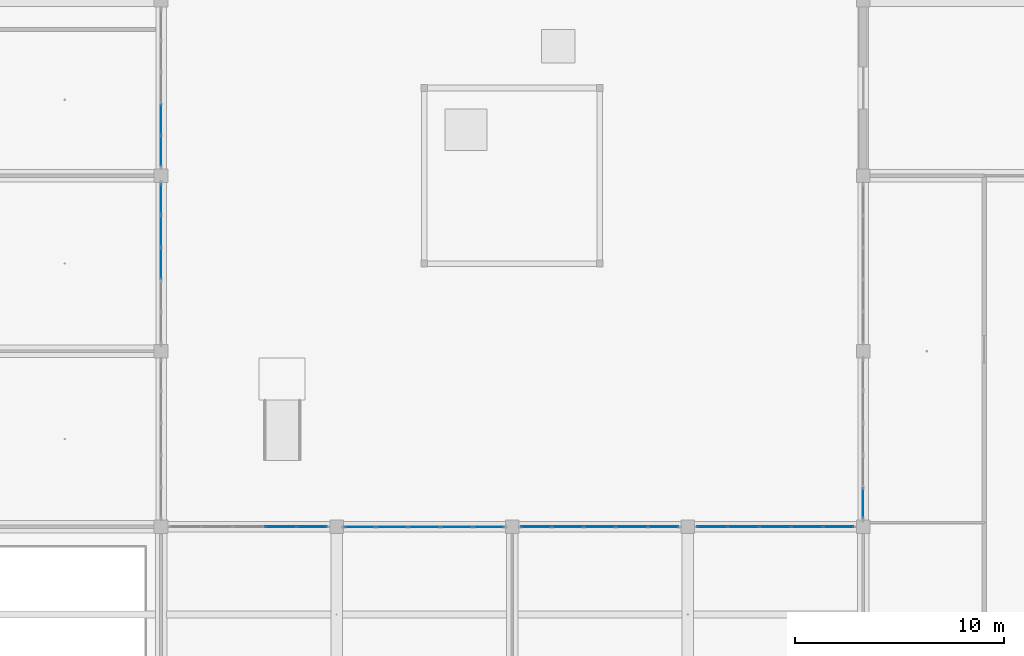
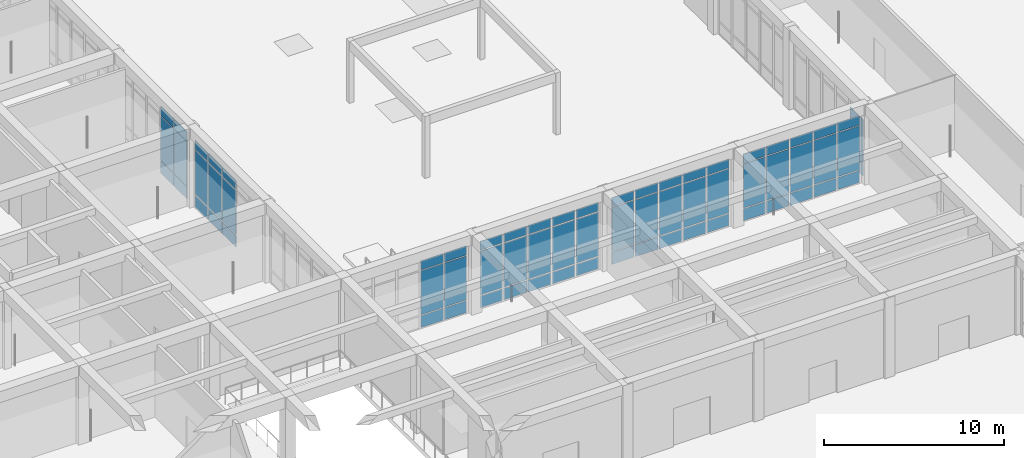
# One storey, part 46 of 167: 68 plates, 7 elements without a shape of their own.
"""IFC4 building model written with IfcOpenShell, lengths in metres."""

from ifc_helpers import new_model, si_unit, direction, frame, origin, origin_2d, place, context, subcontext, project, spatial, rectangle, extrude, material, layer, layer_set, type_object, element, aggregate, save


model = new_model("IFC4")

# Units and contexts
model_context = context("Model", 3, precision=1e-05, world=origin(), true_north=direction((0.0, 1.0)))
body_context = subcontext(model_context, "Body", "Model", "MODEL_VIEW")
ifc_project = project(units=[si_unit("LENGTHUNIT", "METRE"), si_unit("AREAUNIT", "SQUARE_METRE"), si_unit("VOLUMEUNIT", "CUBIC_METRE"), si_unit("PLANEANGLEUNIT", "RADIAN"), si_unit("MASSUNIT", "GRAM", prefix="KILO")], contexts=[model_context])

# Site, building, storey
site_placement = place(None, origin())
site = spatial("IfcSite", under=ifc_project, at=site_placement, CompositionType="ELEMENT")
building_placement = place(site_placement, origin())
building = spatial("IfcBuilding", under=site, at=building_placement, Name="Varncliffe General Hospital", CompositionType="ELEMENT")
storey_placement = place(building_placement, origin())
storey = spatial("IfcBuildingStorey", under=building, at=storey_placement, Name="L00", CompositionType="ELEMENT", Elevation=0.0)

# Curtain wall, plates
ifc_material = material(Name="Triple low-E argon insulated vision glazing", Category="glass")
curtain_wall_type_1 = type_object("IfcCurtainWallType", Name="Unitised Glazed Curtain Wall CW26 (7594x4640)", PredefinedType="USERDEFINED", material=ifc_material)
curtain_wall_1_placement = place(storey_placement, origin())
curtain_wall_1 = element("IfcCurtainWall", 1, at=curtain_wall_1_placement, inside=storey, type_object=curtain_wall_type_1, Name="L00 Glazed Curtain Wall CW26-14", ObjectType="GLAZED CURTAIN WALL", PredefinedType="USERDEFINED")
ifc_layer_1 = layer(ifc_material, 0.0439453125)
ifc_layer_set_1 = layer_set([ifc_layer_1], Name="Triple low-E argon insulated vision glazing")
plate_type_1 = type_object("IfcPlateType", Name="Curtain Wall Glazing Panel CP12 (44mm)", PredefinedType="CURTAIN_PANEL", material=ifc_layer_set_1)
plate_1_placement = place(storey_placement, frame((25.199951171875, 60.28125, 0.06005859375), z_axis=(0.0, 0.0, 1.0), x_axis=(0.0, -1.0, 0.0)))
plate_1 = element("IfcPlate", 2, at=plate_1_placement, type_object=plate_type_1, Name="CW26 panel 4.1", PredefinedType="CURTAIN_PANEL", context=body_context, shape_type="SweptSolid", body=[
    extrude(rectangle(XDim=1.453857421875, YDim=0.0439453125, at=origin_2d()), origin(), (0.0, 0.0, 1.0), 0.81005859375),
])
plate_2_placement = place(storey_placement, frame((25.199951171875, 60.28125, 0.929931640625), z_axis=(0.0, 0.0, 1.0), x_axis=(0.0, -1.0, 0.0)))
plate_2 = element("IfcPlate", 3, at=plate_2_placement, type_object=plate_type_1, Name="CW26 panel 4.2", PredefinedType="CURTAIN_PANEL", context=body_context, shape_type="SweptSolid", body=[
    extrude(rectangle(XDim=1.453857421875, YDim=0.0439453125, at=origin_2d()), origin(), (0.0, 0.0, 1.0), 2.97998046875),
])
plate_3_placement = place(storey_placement, frame((25.199951171875, 60.28125, 3.9697265625), z_axis=(0.0, 0.0, 1.0), x_axis=(0.0, -1.0, 0.0)))
plate_3 = element("IfcPlate", 4, at=plate_3_placement, type_object=plate_type_1, Name="CW26 panel 4.3", PredefinedType="CURTAIN_PANEL", context=body_context, shape_type="SweptSolid", body=[
    extrude(rectangle(XDim=1.453857421875, YDim=0.0439453125, at=origin_2d()), origin(), (0.0, 0.0, 1.0), 0.610107421875),
])
plate_4_placement = place(storey_placement, frame((25.199951171875, 58.778564453125, 0.06005859375), z_axis=(0.0, 0.0, 1.0), x_axis=(0.0, -1.0, 0.0)))
plate_4 = element("IfcPlate", 5, at=plate_4_placement, type_object=plate_type_1, Name="CW26 panel 5.1", PredefinedType="CURTAIN_PANEL", context=body_context, shape_type="SweptSolid", body=[
    extrude(rectangle(XDim=1.42138671875, YDim=0.0439453125, at=origin_2d()), origin(), (0.0, 0.0, 1.0), 0.81005859375),
])
plate_5_placement = place(storey_placement, frame((25.199951171875, 58.778564453125, 0.929931640625), z_axis=(0.0, 0.0, 1.0), x_axis=(0.0, -1.0, 0.0)))
plate_5 = element("IfcPlate", 6, at=plate_5_placement, type_object=plate_type_1, Name="CW26 panel 5.2", PredefinedType="CURTAIN_PANEL", context=body_context, shape_type="SweptSolid", body=[
    extrude(rectangle(XDim=1.42138671875, YDim=0.0439453125, at=origin_2d()), origin(), (0.0, 0.0, 1.0), 2.97998046875),
])
plate_6_placement = place(storey_placement, frame((25.199951171875, 58.778564453125, 3.9697265625), z_axis=(0.0, 0.0, 1.0), x_axis=(0.0, -1.0, 0.0)))
plate_6 = element("IfcPlate", 7, at=plate_6_placement, type_object=plate_type_1, Name="CW26 panel 5.3", PredefinedType="CURTAIN_PANEL", context=body_context, shape_type="SweptSolid", body=[
    extrude(rectangle(XDim=1.42138671875, YDim=0.0439453125, at=origin_2d()), origin(), (0.0, 0.0, 1.0), 0.610107421875),
])
aggregate(curtain_wall_1, [plate_1, plate_2, plate_3, plate_4, plate_5, plate_6])

curtain_wall_2_placement = place(storey_placement, origin())
curtain_wall_2 = element("IfcCurtainWall", 8, at=curtain_wall_2_placement, inside=storey, type_object=curtain_wall_type_1, Name="L00 Glazed Curtain Wall CW26-17", ObjectType="GLAZED CURTAIN WALL", PredefinedType="USERDEFINED")
plate_7_placement = place(storey_placement, frame((30.918701171875, 40.800048828125, 0.06005859375), z_axis=(0.0, 0.0, 1.0), x_axis=(1.0, 0.0, 0.0)))
plate_7 = element("IfcPlate", 9, at=plate_7_placement, type_object=plate_type_1, Name="CW26 panel 4.1", PredefinedType="CURTAIN_PANEL", context=body_context, shape_type="SweptSolid", body=[
    extrude(rectangle(XDim=1.453857421875, YDim=0.0439453125, at=origin_2d()), origin(), (0.0, 0.0, 1.0), 0.81005859375),
])
plate_8_placement = place(storey_placement, frame((30.918701171875, 40.800048828125, 0.929931640625), z_axis=(0.0, 0.0, 1.0), x_axis=(1.0, 0.0, 0.0)))
plate_8 = element("IfcPlate", 10, at=plate_8_placement, type_object=plate_type_1, Name="CW26 panel 4.2", PredefinedType="CURTAIN_PANEL", context=body_context, shape_type="SweptSolid", body=[
    extrude(rectangle(XDim=1.453857421875, YDim=0.0439453125, at=origin_2d()), origin(), (0.0, 0.0, 1.0), 2.97998046875),
])
plate_9_placement = place(storey_placement, frame((30.918701171875, 40.800048828125, 3.9697265625), z_axis=(0.0, 0.0, 1.0), x_axis=(1.0, 0.0, 0.0)))
plate_9 = element("IfcPlate", 11, at=plate_9_placement, type_object=plate_type_1, Name="CW26 panel 4.3", PredefinedType="CURTAIN_PANEL", context=body_context, shape_type="SweptSolid", body=[
    extrude(rectangle(XDim=1.453857421875, YDim=0.0439453125, at=origin_2d()), origin(), (0.0, 0.0, 1.0), 0.610107421875),
])
plate_10_placement = place(storey_placement, frame((32.42138671875, 40.800048828125, 0.06005859375), z_axis=(0.0, 0.0, 1.0), x_axis=(1.0, 0.0, 0.0)))
plate_10 = element("IfcPlate", 12, at=plate_10_placement, type_object=plate_type_1, Name="CW26 panel 5.1", PredefinedType="CURTAIN_PANEL", context=body_context, shape_type="SweptSolid", body=[
    extrude(rectangle(XDim=1.42138671875, YDim=0.0439453125, at=origin_2d()), origin(), (0.0, 0.0, 1.0), 0.81005859375),
])
plate_11_placement = place(storey_placement, frame((32.42138671875, 40.800048828125, 0.929931640625), z_axis=(0.0, 0.0, 1.0), x_axis=(1.0, 0.0, 0.0)))
plate_11 = element("IfcPlate", 13, at=plate_11_placement, type_object=plate_type_1, Name="CW26 panel 5.2", PredefinedType="CURTAIN_PANEL", context=body_context, shape_type="SweptSolid", body=[
    extrude(rectangle(XDim=1.42138671875, YDim=0.0439453125, at=origin_2d()), origin(), (0.0, 0.0, 1.0), 2.97998046875),
])
plate_12_placement = place(storey_placement, frame((32.42138671875, 40.800048828125, 3.9697265625), z_axis=(0.0, 0.0, 1.0), x_axis=(1.0, 0.0, 0.0)))
plate_12 = element("IfcPlate", 14, at=plate_12_placement, type_object=plate_type_1, Name="CW26 panel 5.3", PredefinedType="CURTAIN_PANEL", context=body_context, shape_type="SweptSolid", body=[
    extrude(rectangle(XDim=1.42138671875, YDim=0.0439453125, at=origin_2d()), origin(), (0.0, 0.0, 1.0), 0.610107421875),
])
aggregate(curtain_wall_2, [plate_7, plate_8, plate_9, plate_10, plate_11, plate_12])

curtain_wall_3_placement = place(storey_placement, origin())
curtain_wall_3 = element("IfcCurtainWall", 15, at=curtain_wall_3_placement, inside=storey, type_object=curtain_wall_type_1, Name="L00 Glazed Curtain Wall CW26-20", ObjectType="GLAZED CURTAIN WALL", PredefinedType="USERDEFINED")
plate_13_placement = place(storey_placement, frame((51.57861328125, 40.800048828125, 0.06005859375), z_axis=(0.0, 0.0, 1.0), x_axis=(1.0, 0.0, 0.0)))
plate_13 = element("IfcPlate", 16, at=plate_13_placement, type_object=plate_type_1, Name="CW26 panel 1.1", PredefinedType="CURTAIN_PANEL", context=body_context, shape_type="SweptSolid", body=[
    extrude(rectangle(XDim=1.42138671875, YDim=0.0439453125, at=origin_2d()), origin(), (0.0, 0.0, 1.0), 0.81005859375),
])
plate_14_placement = place(storey_placement, frame((51.57861328125, 40.800048828125, 0.929931640625), z_axis=(0.0, 0.0, 1.0), x_axis=(1.0, 0.0, 0.0)))
plate_14 = element("IfcPlate", 17, at=plate_14_placement, type_object=plate_type_1, Name="CW26 panel 1.2", PredefinedType="CURTAIN_PANEL", context=body_context, shape_type="SweptSolid", body=[
    extrude(rectangle(XDim=1.42138671875, YDim=0.0439453125, at=origin_2d()), origin(), (0.0, 0.0, 1.0), 2.97998046875),
])
plate_15_placement = place(storey_placement, frame((51.57861328125, 40.800048828125, 3.9697265625), z_axis=(0.0, 0.0, 1.0), x_axis=(1.0, 0.0, 0.0)))
plate_15 = element("IfcPlate", 18, at=plate_15_placement, type_object=plate_type_1, Name="CW26 panel 1.3", PredefinedType="CURTAIN_PANEL", context=body_context, shape_type="SweptSolid", body=[
    extrude(rectangle(XDim=1.42138671875, YDim=0.0439453125, at=origin_2d()), origin(), (0.0, 0.0, 1.0), 0.610107421875),
])
plate_16_placement = place(storey_placement, frame((53.081298828125, 40.800048828125, 0.06005859375), z_axis=(0.0, 0.0, 1.0), x_axis=(1.0, 0.0, 0.0)))
plate_16 = element("IfcPlate", 19, at=plate_16_placement, type_object=plate_type_1, Name="CW26 panel 2.1", PredefinedType="CURTAIN_PANEL", context=body_context, shape_type="SweptSolid", body=[
    extrude(rectangle(XDim=1.453857421875, YDim=0.0439453125, at=origin_2d()), origin(), (0.0, 0.0, 1.0), 0.81005859375),
])
plate_17_placement = place(storey_placement, frame((53.081298828125, 40.800048828125, 0.929931640625), z_axis=(0.0, 0.0, 1.0), x_axis=(1.0, 0.0, 0.0)))
plate_17 = element("IfcPlate", 20, at=plate_17_placement, type_object=plate_type_1, Name="CW26 panel 2.2", PredefinedType="CURTAIN_PANEL", context=body_context, shape_type="SweptSolid", body=[
    extrude(rectangle(XDim=1.453857421875, YDim=0.0439453125, at=origin_2d()), origin(), (0.0, 0.0, 1.0), 2.97998046875),
])
plate_18_placement = place(storey_placement, frame((53.081298828125, 40.800048828125, 3.9697265625), z_axis=(0.0, 0.0, 1.0), x_axis=(1.0, 0.0, 0.0)))
plate_18 = element("IfcPlate", 21, at=plate_18_placement, type_object=plate_type_1, Name="CW26 panel 2.3", PredefinedType="CURTAIN_PANEL", context=body_context, shape_type="SweptSolid", body=[
    extrude(rectangle(XDim=1.453857421875, YDim=0.0439453125, at=origin_2d()), origin(), (0.0, 0.0, 1.0), 0.610107421875),
])
plate_19_placement = place(storey_placement, frame((54.60009765625, 40.800048828125, 0.06005859375), z_axis=(0.0, 0.0, 1.0), x_axis=(1.0, 0.0, 0.0)))
plate_19 = element("IfcPlate", 22, at=plate_19_placement, type_object=plate_type_1, Name="CW26 panel 3.1", PredefinedType="CURTAIN_PANEL", context=body_context, shape_type="SweptSolid", body=[
    extrude(rectangle(XDim=1.453857421875, YDim=0.0439453125, at=origin_2d()), origin(), (0.0, 0.0, 1.0), 0.81005859375),
])
plate_20_placement = place(storey_placement, frame((54.60009765625, 40.800048828125, 0.929931640625), z_axis=(0.0, 0.0, 1.0), x_axis=(1.0, 0.0, 0.0)))
plate_20 = element("IfcPlate", 23, at=plate_20_placement, type_object=plate_type_1, Name="CW26 panel 3.2", PredefinedType="CURTAIN_PANEL", context=body_context, shape_type="SweptSolid", body=[
    extrude(rectangle(XDim=1.453857421875, YDim=0.0439453125, at=origin_2d()), origin(), (0.0, 0.0, 1.0), 2.97998046875),
])
plate_21_placement = place(storey_placement, frame((54.60009765625, 40.800048828125, 3.9697265625), z_axis=(0.0, 0.0, 1.0), x_axis=(1.0, 0.0, 0.0)))
plate_21 = element("IfcPlate", 24, at=plate_21_placement, type_object=plate_type_1, Name="CW26 panel 3.3", PredefinedType="CURTAIN_PANEL", context=body_context, shape_type="SweptSolid", body=[
    extrude(rectangle(XDim=1.453857421875, YDim=0.0439453125, at=origin_2d()), origin(), (0.0, 0.0, 1.0), 0.610107421875),
])
plate_22_placement = place(storey_placement, frame((56.118896484375, 40.800048828125, 0.06005859375), z_axis=(0.0, 0.0, 1.0), x_axis=(1.0, 0.0, 0.0)))
plate_22 = element("IfcPlate", 25, at=plate_22_placement, type_object=plate_type_1, Name="CW26 panel 4.1", PredefinedType="CURTAIN_PANEL", context=body_context, shape_type="SweptSolid", body=[
    extrude(rectangle(XDim=1.453857421875, YDim=0.0439453125, at=origin_2d()), origin(), (0.0, 0.0, 1.0), 0.81005859375),
])
plate_23_placement = place(storey_placement, frame((56.118896484375, 40.800048828125, 0.929931640625), z_axis=(0.0, 0.0, 1.0), x_axis=(1.0, 0.0, 0.0)))
plate_23 = element("IfcPlate", 26, at=plate_23_placement, type_object=plate_type_1, Name="CW26 panel 4.2", PredefinedType="CURTAIN_PANEL", context=body_context, shape_type="SweptSolid", body=[
    extrude(rectangle(XDim=1.453857421875, YDim=0.0439453125, at=origin_2d()), origin(), (0.0, 0.0, 1.0), 2.97998046875),
])
plate_24_placement = place(storey_placement, frame((56.118896484375, 40.800048828125, 3.9697265625), z_axis=(0.0, 0.0, 1.0), x_axis=(1.0, 0.0, 0.0)))
plate_24 = element("IfcPlate", 27, at=plate_24_placement, type_object=plate_type_1, Name="CW26 panel 4.3", PredefinedType="CURTAIN_PANEL", context=body_context, shape_type="SweptSolid", body=[
    extrude(rectangle(XDim=1.453857421875, YDim=0.0439453125, at=origin_2d()), origin(), (0.0, 0.0, 1.0), 0.610107421875),
])
plate_25_placement = place(storey_placement, frame((57.621337890625, 40.800048828125, 0.06005859375), z_axis=(0.0, 0.0, 1.0), x_axis=(1.0, 0.0, 0.0)))
plate_25 = element("IfcPlate", 28, at=plate_25_placement, type_object=plate_type_1, Name="CW26 panel 5.1", PredefinedType="CURTAIN_PANEL", context=body_context, shape_type="SweptSolid", body=[
    extrude(rectangle(XDim=1.42138671875, YDim=0.0439453125, at=origin_2d()), origin(), (0.0, 0.0, 1.0), 0.81005859375),
])
plate_26_placement = place(storey_placement, frame((57.621337890625, 40.800048828125, 0.929931640625), z_axis=(0.0, 0.0, 1.0), x_axis=(1.0, 0.0, 0.0)))
plate_26 = element("IfcPlate", 29, at=plate_26_placement, type_object=plate_type_1, Name="CW26 panel 5.2", PredefinedType="CURTAIN_PANEL", context=body_context, shape_type="SweptSolid", body=[
    extrude(rectangle(XDim=1.42138671875, YDim=0.0439453125, at=origin_2d()), origin(), (0.0, 0.0, 1.0), 2.97998046875),
])
plate_27_placement = place(storey_placement, frame((57.621337890625, 40.800048828125, 3.9697265625), z_axis=(0.0, 0.0, 1.0), x_axis=(1.0, 0.0, 0.0)))
plate_27 = element("IfcPlate", 30, at=plate_27_placement, type_object=plate_type_1, Name="CW26 panel 5.3", PredefinedType="CURTAIN_PANEL", context=body_context, shape_type="SweptSolid", body=[
    extrude(rectangle(XDim=1.42138671875, YDim=0.0439453125, at=origin_2d()), origin(), (0.0, 0.0, 1.0), 0.610107421875),
])
aggregate(curtain_wall_3, [plate_13, plate_14, plate_15, plate_16, plate_17, plate_18, plate_19, plate_20, plate_21, plate_22, plate_23, plate_24, plate_25, plate_26, plate_27])

curtain_wall_type_2 = type_object("IfcCurtainWallType", Name="Unitised Glazed Curtain Wall CW15 (7674x4640)", PredefinedType="USERDEFINED", material=ifc_material)
curtain_wall_4_placement = place(storey_placement, origin())
curtain_wall_4 = element("IfcCurtainWall", 31, at=curtain_wall_4_placement, inside=storey, type_object=curtain_wall_type_2, Name="L00 Glazed Curtain Wall CW15-19", ObjectType="GLAZED CURTAIN WALL", PredefinedType="USERDEFINED")
ifc_layer_2 = layer(ifc_material, 0.035888671875)
ifc_layer_set_2 = layer_set([ifc_layer_2], Name="Triple low-E argon insulated vision glazing")
plate_type_2 = type_object("IfcPlateType", Name="Curtain Wall Glazing Panel CP27 (36mm)", PredefinedType="CURTAIN_PANEL", material=ifc_layer_set_2)
plate_28_placement = place(storey_placement, frame((43.149169921875, 40.800048828125, 0.06005859375), z_axis=(0.0, 0.0, 1.0), x_axis=(1.0, 0.0, 0.0)))
plate_28 = element("IfcPlate", 32, at=plate_28_placement, type_object=plate_type_2, Name="CW15 panel 1.1", PredefinedType="CURTAIN_PANEL", context=body_context, shape_type="SweptSolid", body=[
    extrude(rectangle(XDim=1.42236328125, YDim=0.035888671875, at=origin_2d()), origin(), (0.0, 0.0, 1.0), 0.81005859375),
])
plate_29_placement = place(storey_placement, frame((43.149169921875, 40.800048828125, 0.929931640625), z_axis=(0.0, 0.0, 1.0), x_axis=(1.0, 0.0, 0.0)))
plate_29 = element("IfcPlate", 33, at=plate_29_placement, type_object=plate_type_2, Name="CW15 panel 1.2", PredefinedType="CURTAIN_PANEL", context=body_context, shape_type="SweptSolid", body=[
    extrude(rectangle(XDim=1.42236328125, YDim=0.035888671875, at=origin_2d()), origin(), (0.0, 0.0, 1.0), 2.97998046875),
])
plate_30_placement = place(storey_placement, frame((43.149169921875, 40.800048828125, 3.9697265625), z_axis=(0.0, 0.0, 1.0), x_axis=(1.0, 0.0, 0.0)))
plate_30 = element("IfcPlate", 34, at=plate_30_placement, type_object=plate_type_2, Name="CW15 panel 1.3", PredefinedType="CURTAIN_PANEL", context=body_context, shape_type="SweptSolid", body=[
    extrude(rectangle(XDim=1.42236328125, YDim=0.035888671875, at=origin_2d()), origin(), (0.0, 0.0, 1.0), 0.610107421875),
])
plate_31_placement = place(storey_placement, frame((44.665283203125, 40.800048828125, 0.06005859375), z_axis=(0.0, 0.0, 1.0), x_axis=(1.0, 0.0, 0.0)))
plate_31 = element("IfcPlate", 35, at=plate_31_placement, type_object=plate_type_2, Name="CW15 panel 2.1", PredefinedType="CURTAIN_PANEL", context=body_context, shape_type="SweptSolid", body=[
    extrude(rectangle(XDim=1.459716796875, YDim=0.035888671875, at=origin_2d()), origin(), (0.0, 0.0, 1.0), 0.81005859375),
])
plate_32_placement = place(storey_placement, frame((44.665283203125, 40.800048828125, 0.929931640625), z_axis=(0.0, 0.0, 1.0), x_axis=(1.0, 0.0, 0.0)))
plate_32 = element("IfcPlate", 36, at=plate_32_placement, type_object=plate_type_2, Name="CW15 panel 2.2", PredefinedType="CURTAIN_PANEL", context=body_context, shape_type="SweptSolid", body=[
    extrude(rectangle(XDim=1.459716796875, YDim=0.035888671875, at=origin_2d()), origin(), (0.0, 0.0, 1.0), 2.97998046875),
])
plate_33_placement = place(storey_placement, frame((44.665283203125, 40.800048828125, 3.9697265625), z_axis=(0.0, 0.0, 1.0), x_axis=(1.0, 0.0, 0.0)))
plate_33 = element("IfcPlate", 37, at=plate_33_placement, type_object=plate_type_2, Name="CW15 panel 2.3", PredefinedType="CURTAIN_PANEL", context=body_context, shape_type="SweptSolid", body=[
    extrude(rectangle(XDim=1.459716796875, YDim=0.035888671875, at=origin_2d()), origin(), (0.0, 0.0, 1.0), 0.610107421875),
])
plate_34_placement = place(storey_placement, frame((46.199951171875, 40.800048828125, 0.06005859375), z_axis=(0.0, 0.0, 1.0), x_axis=(1.0, 0.0, 0.0)))
plate_34 = element("IfcPlate", 38, at=plate_34_placement, type_object=plate_type_2, Name="CW15 panel 3.1", PredefinedType="CURTAIN_PANEL", context=body_context, shape_type="SweptSolid", body=[
    extrude(rectangle(XDim=1.459716796875, YDim=0.035888671875, at=origin_2d()), origin(), (0.0, 0.0, 1.0), 0.81005859375),
])
plate_35_placement = place(storey_placement, frame((46.199951171875, 40.800048828125, 0.929931640625), z_axis=(0.0, 0.0, 1.0), x_axis=(1.0, 0.0, 0.0)))
plate_35 = element("IfcPlate", 39, at=plate_35_placement, type_object=plate_type_2, Name="CW15 panel 3.2", PredefinedType="CURTAIN_PANEL", context=body_context, shape_type="SweptSolid", body=[
    extrude(rectangle(XDim=1.459716796875, YDim=0.035888671875, at=origin_2d()), origin(), (0.0, 0.0, 1.0), 2.97998046875),
])
plate_36_placement = place(storey_placement, frame((46.199951171875, 40.800048828125, 3.9697265625), z_axis=(0.0, 0.0, 1.0), x_axis=(1.0, 0.0, 0.0)))
plate_36 = element("IfcPlate", 40, at=plate_36_placement, type_object=plate_type_2, Name="CW15 panel 3.3", PredefinedType="CURTAIN_PANEL", context=body_context, shape_type="SweptSolid", body=[
    extrude(rectangle(XDim=1.459716796875, YDim=0.035888671875, at=origin_2d()), origin(), (0.0, 0.0, 1.0), 0.610107421875),
])
plate_37_placement = place(storey_placement, frame((47.73486328125, 40.800048828125, 0.06005859375), z_axis=(0.0, 0.0, 1.0), x_axis=(1.0, 0.0, 0.0)))
plate_37 = element("IfcPlate", 41, at=plate_37_placement, type_object=plate_type_2, Name="CW15 panel 4.1", PredefinedType="CURTAIN_PANEL", context=body_context, shape_type="SweptSolid", body=[
    extrude(rectangle(XDim=1.459716796875, YDim=0.035888671875, at=origin_2d()), origin(), (0.0, 0.0, 1.0), 0.81005859375),
])
plate_38_placement = place(storey_placement, frame((47.73486328125, 40.800048828125, 0.929931640625), z_axis=(0.0, 0.0, 1.0), x_axis=(1.0, 0.0, 0.0)))
plate_38 = element("IfcPlate", 42, at=plate_38_placement, type_object=plate_type_2, Name="CW15 panel 4.2", PredefinedType="CURTAIN_PANEL", context=body_context, shape_type="SweptSolid", body=[
    extrude(rectangle(XDim=1.459716796875, YDim=0.035888671875, at=origin_2d()), origin(), (0.0, 0.0, 1.0), 2.97998046875),
])
plate_39_placement = place(storey_placement, frame((47.73486328125, 40.800048828125, 3.9697265625), z_axis=(0.0, 0.0, 1.0), x_axis=(1.0, 0.0, 0.0)))
plate_39 = element("IfcPlate", 43, at=plate_39_placement, type_object=plate_type_2, Name="CW15 panel 4.3", PredefinedType="CURTAIN_PANEL", context=body_context, shape_type="SweptSolid", body=[
    extrude(rectangle(XDim=1.459716796875, YDim=0.035888671875, at=origin_2d()), origin(), (0.0, 0.0, 1.0), 0.610107421875),
])
plate_40_placement = place(storey_placement, frame((49.250732421875, 40.800048828125, 0.06005859375), z_axis=(0.0, 0.0, 1.0), x_axis=(1.0, 0.0, 0.0)))
plate_40 = element("IfcPlate", 44, at=plate_40_placement, type_object=plate_type_2, Name="CW15 panel 5.1", PredefinedType="CURTAIN_PANEL", context=body_context, shape_type="SweptSolid", body=[
    extrude(rectangle(XDim=1.42236328125, YDim=0.035888671875, at=origin_2d()), origin(), (0.0, 0.0, 1.0), 0.81005859375),
])
plate_41_placement = place(storey_placement, frame((49.250732421875, 40.800048828125, 0.929931640625), z_axis=(0.0, 0.0, 1.0), x_axis=(1.0, 0.0, 0.0)))
plate_41 = element("IfcPlate", 45, at=plate_41_placement, type_object=plate_type_2, Name="CW15 panel 5.2", PredefinedType="CURTAIN_PANEL", context=body_context, shape_type="SweptSolid", body=[
    extrude(rectangle(XDim=1.42236328125, YDim=0.035888671875, at=origin_2d()), origin(), (0.0, 0.0, 1.0), 2.97998046875),
])
plate_42_placement = place(storey_placement, frame((49.250732421875, 40.800048828125, 3.9697265625), z_axis=(0.0, 0.0, 1.0), x_axis=(1.0, 0.0, 0.0)))
plate_42 = element("IfcPlate", 46, at=plate_42_placement, type_object=plate_type_2, Name="CW15 panel 5.3", PredefinedType="CURTAIN_PANEL", context=body_context, shape_type="SweptSolid", body=[
    extrude(rectangle(XDim=1.42236328125, YDim=0.035888671875, at=origin_2d()), origin(), (0.0, 0.0, 1.0), 0.610107421875),
])
aggregate(curtain_wall_4, [plate_28, plate_29, plate_30, plate_31, plate_32, plate_33, plate_34, plate_35, plate_36, plate_37, plate_38, plate_39, plate_40, plate_41, plate_42])

curtain_wall_type_3 = type_object("IfcCurtainWallType", Name="Unitised Glazed Curtain Wall CW66 (7754x4640)", PredefinedType="USERDEFINED", material=ifc_material)
curtain_wall_5_placement = place(storey_placement, origin())
curtain_wall_5 = element("IfcCurtainWall", 47, at=curtain_wall_5_placement, inside=storey, type_object=curtain_wall_type_3, Name="L00 Glazed Curtain Wall CW66-15", ObjectType="GLAZED CURTAIN WALL", PredefinedType="USERDEFINED")
ifc_layer_3 = layer(ifc_material, 0.028076171875)
ifc_layer_set_3 = layer_set([ifc_layer_3], Name="Triple low-E argon insulated vision glazing")
plate_type_3 = type_object("IfcPlateType", Name="Curtain Wall Glazing Panel CP48 (28mm)", PredefinedType="CURTAIN_PANEL", material=ifc_layer_set_3)
plate_43_placement = place(storey_placement, frame((25.199951171875, 56.48291015625, 0.06494140625), z_axis=(0.0, 0.0, 1.0), x_axis=(0.0, -1.0, 0.0)))
plate_43 = element("IfcPlate", 48, at=plate_43_placement, type_object=plate_type_3, Name="CW66 panel 1.1", PredefinedType="CURTAIN_PANEL", context=body_context, shape_type="SweptSolid", body=[
    extrude(rectangle(XDim=1.438232421875, YDim=0.028076171875, at=origin_2d()), origin(), (0.0, 0.0, 1.0), 0.802490234375),
])
plate_44_placement = place(storey_placement, frame((25.199951171875, 56.48291015625, 0.932373046875), z_axis=(0.0, 0.0, 1.0), x_axis=(0.0, -1.0, 0.0)))
plate_44 = element("IfcPlate", 49, at=plate_44_placement, type_object=plate_type_3, Name="CW66 panel 1.2", PredefinedType="CURTAIN_PANEL", context=body_context, shape_type="SweptSolid", body=[
    extrude(rectangle(XDim=1.438232421875, YDim=0.028076171875, at=origin_2d()), origin(), (0.0, 0.0, 1.0), 2.97509765625),
])
plate_45_placement = place(storey_placement, frame((25.199951171875, 56.48291015625, 3.972412109375), z_axis=(0.0, 0.0, 1.0), x_axis=(0.0, -1.0, 0.0)))
plate_45 = element("IfcPlate", 50, at=plate_45_placement, type_object=plate_type_3, Name="CW66 panel 1.3", PredefinedType="CURTAIN_PANEL", context=body_context, shape_type="SweptSolid", body=[
    extrude(rectangle(XDim=1.438232421875, YDim=0.028076171875, at=origin_2d()), origin(), (0.0, 0.0, 1.0), 0.6025390625),
])
plate_46_placement = place(storey_placement, frame((25.199951171875, 54.95068359375, 0.06494140625), z_axis=(0.0, 0.0, 1.0), x_axis=(0.0, -1.0, 0.0)))
plate_46 = element("IfcPlate", 51, at=plate_46_placement, type_object=plate_type_3, Name="CW66 panel 2.1", PredefinedType="CURTAIN_PANEL", context=body_context, shape_type="SweptSolid", body=[
    extrude(rectangle(XDim=1.475830078125, YDim=0.028076171875, at=origin_2d()), origin(), (0.0, 0.0, 1.0), 0.802490234375),
])
plate_47_placement = place(storey_placement, frame((25.199951171875, 54.95068359375, 0.932373046875), z_axis=(0.0, 0.0, 1.0), x_axis=(0.0, -1.0, 0.0)))
plate_47 = element("IfcPlate", 52, at=plate_47_placement, type_object=plate_type_3, Name="CW66 panel 2.2", PredefinedType="CURTAIN_PANEL", context=body_context, shape_type="SweptSolid", body=[
    extrude(rectangle(XDim=1.475830078125, YDim=0.028076171875, at=origin_2d()), origin(), (0.0, 0.0, 1.0), 2.97509765625),
])
plate_48_placement = place(storey_placement, frame((25.199951171875, 54.95068359375, 3.972412109375), z_axis=(0.0, 0.0, 1.0), x_axis=(0.0, -1.0, 0.0)))
plate_48 = element("IfcPlate", 53, at=plate_48_placement, type_object=plate_type_3, Name="CW66 panel 2.3", PredefinedType="CURTAIN_PANEL", context=body_context, shape_type="SweptSolid", body=[
    extrude(rectangle(XDim=1.475830078125, YDim=0.028076171875, at=origin_2d()), origin(), (0.0, 0.0, 1.0), 0.6025390625),
])
plate_49_placement = place(storey_placement, frame((25.199951171875, 53.39990234375, 0.06494140625), z_axis=(0.0, 0.0, 1.0), x_axis=(0.0, -1.0, 0.0)))
plate_49 = element("IfcPlate", 54, at=plate_49_placement, type_object=plate_type_3, Name="CW66 panel 3.1", PredefinedType="CURTAIN_PANEL", context=body_context, shape_type="SweptSolid", body=[
    extrude(rectangle(XDim=1.475830078125, YDim=0.028076171875, at=origin_2d()), origin(), (0.0, 0.0, 1.0), 0.802490234375),
])
plate_50_placement = place(storey_placement, frame((25.199951171875, 53.39990234375, 0.932373046875), z_axis=(0.0, 0.0, 1.0), x_axis=(0.0, -1.0, 0.0)))
plate_50 = element("IfcPlate", 55, at=plate_50_placement, type_object=plate_type_3, Name="CW66 panel 3.2", PredefinedType="CURTAIN_PANEL", context=body_context, shape_type="SweptSolid", body=[
    extrude(rectangle(XDim=1.475830078125, YDim=0.028076171875, at=origin_2d()), origin(), (0.0, 0.0, 1.0), 2.97509765625),
])
plate_51_placement = place(storey_placement, frame((25.199951171875, 53.39990234375, 3.972412109375), z_axis=(0.0, 0.0, 1.0), x_axis=(0.0, -1.0, 0.0)))
plate_51 = element("IfcPlate", 56, at=plate_51_placement, type_object=plate_type_3, Name="CW66 panel 3.3", PredefinedType="CURTAIN_PANEL", context=body_context, shape_type="SweptSolid", body=[
    extrude(rectangle(XDim=1.475830078125, YDim=0.028076171875, at=origin_2d()), origin(), (0.0, 0.0, 1.0), 0.6025390625),
])
aggregate(curtain_wall_5, [plate_43, plate_44, plate_45, plate_46, plate_47, plate_48, plate_49, plate_50, plate_51])

curtain_wall_6_placement = place(storey_placement, origin())
curtain_wall_6 = element("IfcCurtainWall", 57, at=curtain_wall_6_placement, inside=storey, type_object=curtain_wall_type_3, Name="L00 Glazed Curtain Wall CW66-18", ObjectType="GLAZED CURTAIN WALL", PredefinedType="USERDEFINED")
plate_52_placement = place(storey_placement, frame((34.717041015625, 40.800048828125, 0.06494140625), z_axis=(0.0, 0.0, 1.0), x_axis=(1.0, 0.0, 0.0)))
plate_52 = element("IfcPlate", 58, at=plate_52_placement, type_object=plate_type_3, Name="CW66 panel 1.1", PredefinedType="CURTAIN_PANEL", context=body_context, shape_type="SweptSolid", body=[
    extrude(rectangle(XDim=1.438232421875, YDim=0.028076171875, at=origin_2d()), origin(), (0.0, 0.0, 1.0), 0.802490234375),
])
plate_53_placement = place(storey_placement, frame((34.717041015625, 40.800048828125, 0.932373046875), z_axis=(0.0, 0.0, 1.0), x_axis=(1.0, 0.0, 0.0)))
plate_53 = element("IfcPlate", 59, at=plate_53_placement, type_object=plate_type_3, Name="CW66 panel 1.2", PredefinedType="CURTAIN_PANEL", context=body_context, shape_type="SweptSolid", body=[
    extrude(rectangle(XDim=1.438232421875, YDim=0.028076171875, at=origin_2d()), origin(), (0.0, 0.0, 1.0), 2.97509765625),
])
plate_54_placement = place(storey_placement, frame((34.717041015625, 40.800048828125, 3.972412109375), z_axis=(0.0, 0.0, 1.0), x_axis=(1.0, 0.0, 0.0)))
plate_54 = element("IfcPlate", 60, at=plate_54_placement, type_object=plate_type_3, Name="CW66 panel 1.3", PredefinedType="CURTAIN_PANEL", context=body_context, shape_type="SweptSolid", body=[
    extrude(rectangle(XDim=1.438232421875, YDim=0.028076171875, at=origin_2d()), origin(), (0.0, 0.0, 1.0), 0.6025390625),
])
plate_55_placement = place(storey_placement, frame((36.249267578125, 40.800048828125, 0.06494140625), z_axis=(0.0, 0.0, 1.0), x_axis=(1.0, 0.0, 0.0)))
plate_55 = element("IfcPlate", 61, at=plate_55_placement, type_object=plate_type_3, Name="CW66 panel 2.1", PredefinedType="CURTAIN_PANEL", context=body_context, shape_type="SweptSolid", body=[
    extrude(rectangle(XDim=1.475830078125, YDim=0.028076171875, at=origin_2d()), origin(), (0.0, 0.0, 1.0), 0.802490234375),
])
plate_56_placement = place(storey_placement, frame((36.249267578125, 40.800048828125, 0.932373046875), z_axis=(0.0, 0.0, 1.0), x_axis=(1.0, 0.0, 0.0)))
plate_56 = element("IfcPlate", 62, at=plate_56_placement, type_object=plate_type_3, Name="CW66 panel 2.2", PredefinedType="CURTAIN_PANEL", context=body_context, shape_type="SweptSolid", body=[
    extrude(rectangle(XDim=1.475830078125, YDim=0.028076171875, at=origin_2d()), origin(), (0.0, 0.0, 1.0), 2.97509765625),
])
plate_57_placement = place(storey_placement, frame((36.249267578125, 40.800048828125, 3.972412109375), z_axis=(0.0, 0.0, 1.0), x_axis=(1.0, 0.0, 0.0)))
plate_57 = element("IfcPlate", 63, at=plate_57_placement, type_object=plate_type_3, Name="CW66 panel 2.3", PredefinedType="CURTAIN_PANEL", context=body_context, shape_type="SweptSolid", body=[
    extrude(rectangle(XDim=1.475830078125, YDim=0.028076171875, at=origin_2d()), origin(), (0.0, 0.0, 1.0), 0.6025390625),
])
plate_58_placement = place(storey_placement, frame((37.800048828125, 40.800048828125, 0.06494140625), z_axis=(0.0, 0.0, 1.0), x_axis=(1.0, 0.0, 0.0)))
plate_58 = element("IfcPlate", 64, at=plate_58_placement, type_object=plate_type_3, Name="CW66 panel 3.1", PredefinedType="CURTAIN_PANEL", context=body_context, shape_type="SweptSolid", body=[
    extrude(rectangle(XDim=1.475830078125, YDim=0.028076171875, at=origin_2d()), origin(), (0.0, 0.0, 1.0), 0.802490234375),
])
plate_59_placement = place(storey_placement, frame((37.800048828125, 40.800048828125, 0.932373046875), z_axis=(0.0, 0.0, 1.0), x_axis=(1.0, 0.0, 0.0)))
plate_59 = element("IfcPlate", 65, at=plate_59_placement, type_object=plate_type_3, Name="CW66 panel 3.2", PredefinedType="CURTAIN_PANEL", context=body_context, shape_type="SweptSolid", body=[
    extrude(rectangle(XDim=1.475830078125, YDim=0.028076171875, at=origin_2d()), origin(), (0.0, 0.0, 1.0), 2.97509765625),
])
plate_60_placement = place(storey_placement, frame((37.800048828125, 40.800048828125, 3.972412109375), z_axis=(0.0, 0.0, 1.0), x_axis=(1.0, 0.0, 0.0)))
plate_60 = element("IfcPlate", 66, at=plate_60_placement, type_object=plate_type_3, Name="CW66 panel 3.3", PredefinedType="CURTAIN_PANEL", context=body_context, shape_type="SweptSolid", body=[
    extrude(rectangle(XDim=1.475830078125, YDim=0.028076171875, at=origin_2d()), origin(), (0.0, 0.0, 1.0), 0.6025390625),
])
plate_61_placement = place(storey_placement, frame((39.350830078125, 40.800048828125, 0.06494140625), z_axis=(0.0, 0.0, 1.0), x_axis=(1.0, 0.0, 0.0)))
plate_61 = element("IfcPlate", 67, at=plate_61_placement, type_object=plate_type_3, Name="CW66 panel 4.1", PredefinedType="CURTAIN_PANEL", context=body_context, shape_type="SweptSolid", body=[
    extrude(rectangle(XDim=1.475830078125, YDim=0.028076171875, at=origin_2d()), origin(), (0.0, 0.0, 1.0), 0.802490234375),
])
plate_62_placement = place(storey_placement, frame((39.350830078125, 40.800048828125, 0.932373046875), z_axis=(0.0, 0.0, 1.0), x_axis=(1.0, 0.0, 0.0)))
plate_62 = element("IfcPlate", 68, at=plate_62_placement, type_object=plate_type_3, Name="CW66 panel 4.2", PredefinedType="CURTAIN_PANEL", context=body_context, shape_type="SweptSolid", body=[
    extrude(rectangle(XDim=1.475830078125, YDim=0.028076171875, at=origin_2d()), origin(), (0.0, 0.0, 1.0), 2.97509765625),
])
plate_63_placement = place(storey_placement, frame((39.350830078125, 40.800048828125, 3.972412109375), z_axis=(0.0, 0.0, 1.0), x_axis=(1.0, 0.0, 0.0)))
plate_63 = element("IfcPlate", 69, at=plate_63_placement, type_object=plate_type_3, Name="CW66 panel 4.3", PredefinedType="CURTAIN_PANEL", context=body_context, shape_type="SweptSolid", body=[
    extrude(rectangle(XDim=1.475830078125, YDim=0.028076171875, at=origin_2d()), origin(), (0.0, 0.0, 1.0), 0.6025390625),
])
plate_64_placement = place(storey_placement, frame((40.8828125, 40.800048828125, 0.06494140625), z_axis=(0.0, 0.0, 1.0), x_axis=(1.0, 0.0, 0.0)))
plate_64 = element("IfcPlate", 70, at=plate_64_placement, type_object=plate_type_3, Name="CW66 panel 5.1", PredefinedType="CURTAIN_PANEL", context=body_context, shape_type="SweptSolid", body=[
    extrude(rectangle(XDim=1.438232421875, YDim=0.028076171875, at=origin_2d()), origin(), (0.0, 0.0, 1.0), 0.802490234375),
])
plate_65_placement = place(storey_placement, frame((40.8828125, 40.800048828125, 0.932373046875), z_axis=(0.0, 0.0, 1.0), x_axis=(1.0, 0.0, 0.0)))
plate_65 = element("IfcPlate", 71, at=plate_65_placement, type_object=plate_type_3, Name="CW66 panel 5.2", PredefinedType="CURTAIN_PANEL", context=body_context, shape_type="SweptSolid", body=[
    extrude(rectangle(XDim=1.438232421875, YDim=0.028076171875, at=origin_2d()), origin(), (0.0, 0.0, 1.0), 2.97509765625),
])
plate_66_placement = place(storey_placement, frame((40.8828125, 40.800048828125, 3.972412109375), z_axis=(0.0, 0.0, 1.0), x_axis=(1.0, 0.0, 0.0)))
plate_66 = element("IfcPlate", 72, at=plate_66_placement, type_object=plate_type_3, Name="CW66 panel 5.3", PredefinedType="CURTAIN_PANEL", context=body_context, shape_type="SweptSolid", body=[
    extrude(rectangle(XDim=1.438232421875, YDim=0.028076171875, at=origin_2d()), origin(), (0.0, 0.0, 1.0), 0.6025390625),
])
aggregate(curtain_wall_6, [plate_52, plate_53, plate_54, plate_55, plate_56, plate_57, plate_58, plate_59, plate_60, plate_61, plate_62, plate_63, plate_64, plate_65, plate_66])

curtain_wall_7_placement = place(storey_placement, origin())
curtain_wall_7 = element("IfcCurtainWall", 73, at=curtain_wall_7_placement, inside=storey, type_object=curtain_wall_type_3, Name="L00 Glazed Curtain Wall CW66-21", ObjectType="GLAZED CURTAIN WALL", PredefinedType="USERDEFINED")
plate_67_placement = place(storey_placement, frame((58.800048828125, 41.917236328125, 0.06494140625), z_axis=(0.0, 0.0, 1.0), x_axis=(0.0, 1.0, 0.0)))
plate_67 = element("IfcPlate", 74, at=plate_67_placement, type_object=plate_type_3, Name="CW66 panel 1.1", PredefinedType="CURTAIN_PANEL", context=body_context, shape_type="SweptSolid", body=[
    extrude(rectangle(XDim=1.438232421875, YDim=0.028076171875, at=origin_2d()), origin(), (0.0, 0.0, 1.0), 0.802490234375),
])
plate_68_placement = place(storey_placement, frame((58.800048828125, 41.917236328125, 0.932373046875), z_axis=(0.0, 0.0, 1.0), x_axis=(0.0, 1.0, 0.0)))
plate_68 = element("IfcPlate", 75, at=plate_68_placement, type_object=plate_type_3, Name="CW66 panel 1.2", PredefinedType="CURTAIN_PANEL", context=body_context, shape_type="SweptSolid", body=[
    extrude(rectangle(XDim=1.438232421875, YDim=0.028076171875, at=origin_2d()), origin(), (0.0, 0.0, 1.0), 2.97509765625),
])
aggregate(curtain_wall_7, [plate_67, plate_68])

save(model, "model.ifc")
